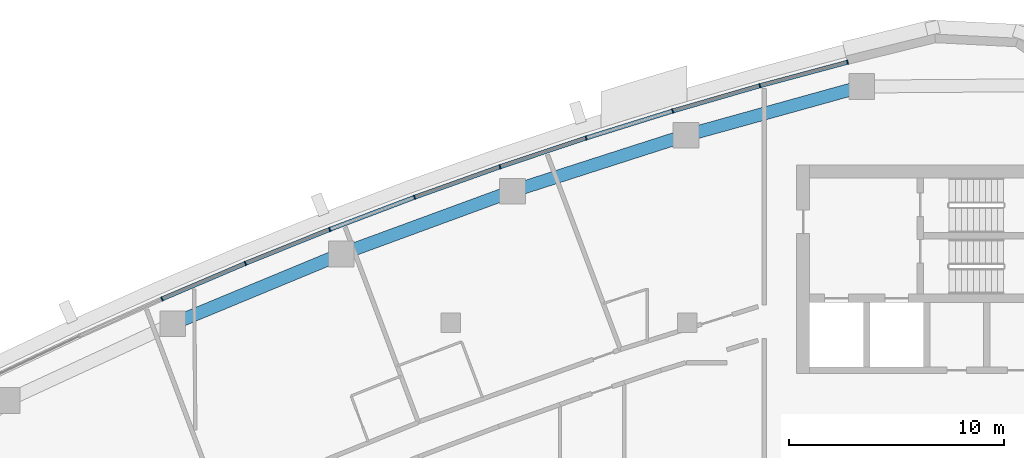
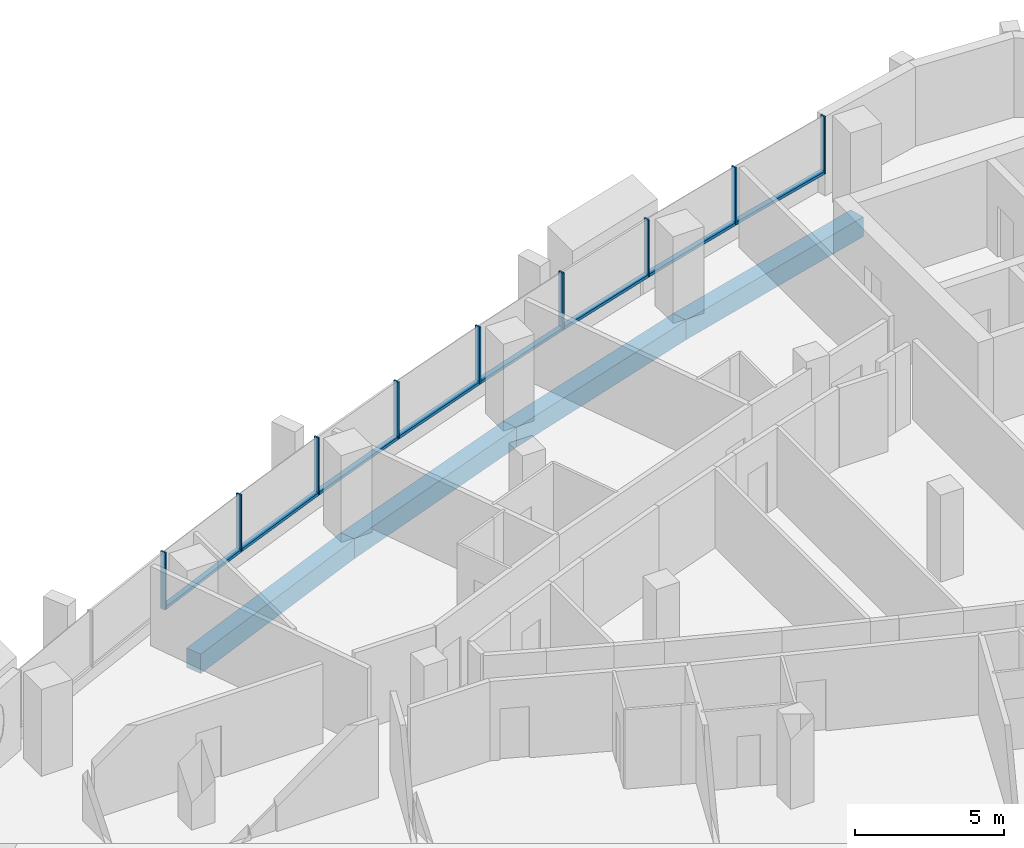
# One storey, part 6 of 15: 17 members, 4 beams, 4 elements without a shape of their own.
"""IFC4 building model written with IfcOpenShell, lengths in metres."""

from ifc_helpers import new_model, si_unit, direction, frame, origin, origin_2d, place, context, subcontext, project, spatial, rectangle, extrude, material, layer, layer_set, material_profile, profile_set, type_object, element, aggregate, save


model = new_model("IFC4")

# Units and contexts
model_context = context("Model", 3, precision=1e-05, world=origin(), true_north=direction((0.0, 1.0)))
body_context = subcontext(model_context, "Body", "Model", "MODEL_VIEW")
ifc_project = project(units=[si_unit("LENGTHUNIT", "METRE"), si_unit("AREAUNIT", "SQUARE_METRE"), si_unit("VOLUMEUNIT", "CUBIC_METRE"), si_unit("PLANEANGLEUNIT", "RADIAN"), si_unit("MASSUNIT", "GRAM", prefix="KILO")], contexts=[model_context])

# Site, building, storey
site_placement = place(None, origin())
site = spatial("IfcSite", under=ifc_project, at=site_placement, CompositionType="ELEMENT")
building_placement = place(site_placement, origin())
building = spatial("IfcBuilding", under=site, at=building_placement, Name="Ostrand Prow Hotel Tower", CompositionType="ELEMENT")
storey_placement = place(building_placement, frame((0.0, 0.0, 235.0)))
storey = spatial("IfcBuildingStorey", under=building, at=storey_placement, Name="L59", CompositionType="ELEMENT", Elevation=235.0)

# Beams
ifc_material_1 = material(Name="Concrete C50/60", Category="concrete")
ifc_material_profile_1 = material_profile(ifc_material_1, rectangle(XDim=0.60009765625, YDim=0.800048828125, at=origin_2d()), Name="RC 600x800")
ifc_profile_set_1 = profile_set([ifc_material_profile_1], Name="Concrete C50/60")
beam_type = type_object("IfcBeamType", Name="Edge beam 600x800 C50/60", PredefinedType="SPANDREL", material=ifc_profile_set_1)
for number, where, z_axis, x_axis, name in (
    (1, (53.12548828125, 19.99951171875, -0.699951171875), (-0.963625802813, -0.267255144297, 0.0), (0.267255144297, -0.963625802813, 0.0), "Edge beam N1-N2"),
    (2, (44.94677734375, 17.731201171875, -0.699951171875), (-0.95193933362, -0.306286638798, 0.0), (0.306286638798, -0.95193933362, 0.0), "Edge beam N2-N3"),
    (3, (36.8671875, 15.131591796875, -0.699951171875), (-0.938684959139, -0.344776083113, 0.0), (0.344776083113, -0.938684959139, 0.0), "Edge beam N3-N4"),
    (4, (28.900146484375, 12.205322265625, -0.699951171875), (-0.923890977326, -0.38265580097, 0.0), (0.38265580097, -0.923890977326, 0.0), "Edge beam N4-N5"),
):
    element("IfcBeam", number, at=place(storey_placement, frame(where, z_axis=z_axis, x_axis=x_axis)), inside=storey, type_object=beam_type, Name=name, PredefinedType="SPANDREL", context=body_context, shape_type="SweptSolid", body=[
        extrude(rectangle(XDim=0.60009765625, YDim=0.800048828125, at=origin_2d()), origin(), (0.0, 0.0, 1.0), 8.487548828125),
    ])

# Curtain wall, members
ifc_material_2 = material(Name="Insulated glass in bronze anodised frame", Category="glass")
ifc_layer = layer(ifc_material_2, 0.199951171875)
ifc_layer_set = layer_set([ifc_layer], Name="Insulated glass in bronze anodised frame")
curtain_wall_type = type_object("IfcCurtainWallType", Name="Strip curtain wall, fritted glass over bronze spandrel", PredefinedType="NOTDEFINED", material=ifc_layer_set)
curtain_wall_1_placement = place(storey_placement, origin())
curtain_wall_1 = element("IfcCurtainWall", 5, at=curtain_wall_1_placement, inside=storey, type_object=curtain_wall_type, Name="CW1 run CWN1", PredefinedType="NOTDEFINED")
ifc_material_3 = material(Name="Bronze anodised aluminium", Category="aluminium")
ifc_material_profile_2 = material_profile(ifc_material_3, rectangle(XDim=0.199951171875, YDim=0.06005859375, at=origin_2d()), Name="Mullion 60x200 bronze anodised aluminium")
ifc_profile_set_2 = profile_set([ifc_material_profile_2], Name="Bronze anodised aluminium")
member_type_1 = type_object("IfcMemberType", Name="Mullion 60x200 bronze anodised aluminium", PredefinedType="MULLION", material=ifc_profile_set_2)
member_1_placement = place(storey_placement, frame((52.465576171875, 21.1328125, 0.89990234375), z_axis=(0.0, 0.0, 1.0), x_axis=(0.258994370132, -0.965878831034, 0.0)))
member_1 = element("IfcMember", 6, at=member_1_placement, type_object=member_type_1, Name="CW1 mullion 1", PredefinedType="MULLION", context=body_context, shape_type="SweptSolid", body=[
    extrude(rectangle(XDim=0.199951171875, YDim=0.06005859375, at=origin_2d()), origin(), (0.0, 0.0, 1.0), 2.35009765625),
])
member_2_placement = place(storey_placement, frame((48.385986328125, 20.038818359375, 0.89990234375), z_axis=(0.0, 0.0, 1.0), x_axis=(0.27839270969, -0.960467333745, 0.0)))
member_2 = element("IfcMember", 7, at=member_2_placement, type_object=member_type_1, Name="CW1 mullion 2", PredefinedType="MULLION", context=body_context, shape_type="SweptSolid", body=[
    extrude(rectangle(XDim=0.199951171875, YDim=0.06005859375, at=origin_2d()), origin(), (0.0, 0.0, 1.0), 2.35009765625),
])
member_3_placement = place(storey_placement, frame((44.3291015625, 18.863037109375, 0.89990234375), z_axis=(0.0, 0.0, 1.0), x_axis=(0.27839270969, -0.960467333745, 0.0)))
member_3 = element("IfcMember", 8, at=member_3_placement, type_object=member_type_1, Name="CW1 mullion 3", PredefinedType="MULLION", context=body_context, shape_type="SweptSolid", body=[
    extrude(rectangle(XDim=0.199951171875, YDim=0.06005859375, at=origin_2d()), origin(), (0.0, 0.0, 1.0), 2.35009765625),
])

curtain_wall_2_placement = place(storey_placement, origin())
curtain_wall_2 = element("IfcCurtainWall", 9, at=curtain_wall_2_placement, inside=storey, type_object=curtain_wall_type, Name="CW1 run CWN2", PredefinedType="NOTDEFINED")
member_4_placement = place(storey_placement, frame((40.297119140625, 17.605712890625, 0.89990234375), z_axis=(0.0, 0.0, 1.0), x_axis=(0.31684118017, -0.948478606268, 0.0)))
member_4 = element("IfcMember", 10, at=member_4_placement, type_object=member_type_1, Name="CW1 mullion 2", PredefinedType="MULLION", context=body_context, shape_type="SweptSolid", body=[
    extrude(rectangle(XDim=0.199951171875, YDim=0.06005859375, at=origin_2d()), origin(), (0.0, 0.0, 1.0), 2.35009765625),
])
member_5_placement = place(storey_placement, frame((36.291015625, 16.267578125, 0.89990234375), z_axis=(0.0, 0.0, 1.0), x_axis=(0.31684118017, -0.948478606268, 0.0)))
member_5 = element("IfcMember", 11, at=member_5_placement, type_object=member_type_1, Name="CW1 mullion 3", PredefinedType="MULLION", context=body_context, shape_type="SweptSolid", body=[
    extrude(rectangle(XDim=0.199951171875, YDim=0.06005859375, at=origin_2d()), origin(), (0.0, 0.0, 1.0), 2.35009765625),
])

curtain_wall_3_placement = place(storey_placement, origin())
curtain_wall_3 = element("IfcCurtainWall", 12, at=curtain_wall_3_placement, inside=storey, type_object=curtain_wall_type, Name="CW1 run CWN3", PredefinedType="NOTDEFINED")
member_6_placement = place(storey_placement, frame((32.3125, 14.848876953125, 0.89990234375), z_axis=(0.0, 0.0, 1.0), x_axis=(0.354777361469, -0.934950813567, 0.0)))
member_6 = element("IfcMember", 13, at=member_6_placement, type_object=member_type_1, Name="CW1 mullion 2", PredefinedType="MULLION", context=body_context, shape_type="SweptSolid", body=[
    extrude(rectangle(XDim=0.199951171875, YDim=0.06005859375, at=origin_2d()), origin(), (0.0, 0.0, 1.0), 2.35009765625),
])
member_7_placement = place(storey_placement, frame((28.363525390625, 13.350341796875, 0.89990234375), z_axis=(0.0, 0.0, 1.0), x_axis=(0.354777361469, -0.934950813567, 0.0)))
member_7 = element("IfcMember", 14, at=member_7_placement, type_object=member_type_1, Name="CW1 mullion 3", PredefinedType="MULLION", context=body_context, shape_type="SweptSolid", body=[
    extrude(rectangle(XDim=0.199951171875, YDim=0.06005859375, at=origin_2d()), origin(), (0.0, 0.0, 1.0), 2.35009765625),
])

curtain_wall_4_placement = place(storey_placement, origin())
curtain_wall_4 = element("IfcCurtainWall", 15, at=curtain_wall_4_placement, inside=storey, type_object=curtain_wall_type, Name="CW1 run CWN4", PredefinedType="NOTDEFINED")
member_8_placement = place(storey_placement, frame((24.445556640625, 11.772705078125, 0.89990234375), z_axis=(0.0, 0.0, 1.0), x_axis=(0.392136433347, -0.919907070112, 0.0)))
member_8 = element("IfcMember", 16, at=member_8_placement, type_object=member_type_1, Name="CW1 mullion 2", PredefinedType="MULLION", context=body_context, shape_type="SweptSolid", body=[
    extrude(rectangle(XDim=0.199951171875, YDim=0.06005859375, at=origin_2d()), origin(), (0.0, 0.0, 1.0), 2.35009765625),
])
member_9_placement = place(storey_placement, frame((20.56005859375, 10.116455078125, 0.89990234375), z_axis=(0.0, 0.0, 1.0), x_axis=(0.392136433347, -0.919907070112, 0.0)))
member_9 = element("IfcMember", 17, at=member_9_placement, type_object=member_type_1, Name="CW1 mullion 3", PredefinedType="MULLION", context=body_context, shape_type="SweptSolid", body=[
    extrude(rectangle(XDim=0.199951171875, YDim=0.06005859375, at=origin_2d()), origin(), (0.0, 0.0, 1.0), 2.35009765625),
])

# Member
ifc_material_4 = material(Name="Bronze anodised aluminium", Category="aluminium")
ifc_material_profile_3 = material_profile(ifc_material_4, rectangle(XDim=0.199951171875, YDim=0.1201171875, at=origin_2d()), Name="Transom 120x200 bronze anodised aluminium")
ifc_profile_set_3 = profile_set([ifc_material_profile_3], Name="Bronze anodised aluminium")
member_type_2 = type_object("IfcMemberType", Name="Transom 120x200 bronze anodised aluminium", PredefinedType="USERDEFINED", material=ifc_profile_set_3)
member_10_placement = place(storey_placement, frame((52.4365234375, 21.125, 0.9599609375), z_axis=(-0.96587683346, -0.259001819657, 0.0), x_axis=(0.259001819657, -0.96587683346, 0.0)))
member_10 = element("IfcMember", 18, at=member_10_placement, type_object=member_type_2, Name="CW1 transom 1.1", ObjectType="TRANSOM", PredefinedType="USERDEFINED", context=body_context, shape_type="SweptSolid", body=[
    extrude(rectangle(XDim=0.199951171875, YDim=0.1201171875, at=origin_2d()), origin(), (0.0, 0.0, 1.0), 4.16357421875),
])

member_11_placement = place(storey_placement, frame((48.357177734375, 20.030517578125, 0.9599609375), z_axis=(-0.960468183791, -0.278389776976, 0.0), x_axis=(0.278389776976, -0.960468183791, 0.0)))
member_11 = element("IfcMember", 19, at=member_11_placement, type_object=member_type_2, Name="CW1 transom 2.1", ObjectType="TRANSOM", PredefinedType="USERDEFINED", context=body_context, shape_type="SweptSolid", body=[
    extrude(rectangle(XDim=0.199951171875, YDim=0.1201171875, at=origin_2d()), origin(), (0.0, 0.0, 1.0), 4.163818359375),
])

aggregate(curtain_wall_1, [member_1, member_2, member_3, member_10, member_11])

member_12_placement = place(storey_placement, frame((44.300537109375, 18.85400390625, 0.9599609375), z_axis=(-0.954676966691, -0.297643896746, 0.0), x_axis=(0.297643896746, -0.954676966691, 0.0)))
member_12 = element("IfcMember", 20, at=member_12_placement, type_object=member_type_2, Name="CW1 transom 1.1", ObjectType="TRANSOM", PredefinedType="USERDEFINED", context=body_context, shape_type="SweptSolid", body=[
    extrude(rectangle(XDim=0.199951171875, YDim=0.1201171875, at=origin_2d()), origin(), (0.0, 0.0, 1.0), 4.16357421875),
])

member_13_placement = place(storey_placement, frame((40.2685546875, 17.59619140625, 0.9599609375), z_axis=(-0.948489622939, -0.316808199353, 0.0), x_axis=(0.316808199353, -0.948489622939, 0.0)))
member_13 = element("IfcMember", 21, at=member_13_placement, type_object=member_type_2, Name="CW1 transom 2.1", ObjectType="TRANSOM", PredefinedType="USERDEFINED", context=body_context, shape_type="SweptSolid", body=[
    extrude(rectangle(XDim=0.199951171875, YDim=0.1201171875, at=origin_2d()), origin(), (0.0, 0.0, 1.0), 4.16357421875),
])

aggregate(curtain_wall_2, [member_4, member_5, member_12, member_13])

member_14_placement = place(storey_placement, frame((36.2626953125, 16.25732421875, 0.9599609375), z_axis=(-0.941911594104, -0.335860907061, 0.0), x_axis=(0.335860907061, -0.941911594104, 0.0)))
member_14 = element("IfcMember", 22, at=member_14_placement, type_object=member_type_2, Name="CW1 transom 1.1", ObjectType="TRANSOM", PredefinedType="USERDEFINED", context=body_context, shape_type="SweptSolid", body=[
    extrude(rectangle(XDim=0.199951171875, YDim=0.1201171875, at=origin_2d()), origin(), (0.0, 0.0, 1.0), 4.163818359375),
])

member_15_placement = place(storey_placement, frame((32.284423828125, 14.838134765625, 0.9599609375), z_axis=(-0.934960644813, -0.354751451936, 0.0), x_axis=(0.354751451936, -0.934960644813, 0.0)))
member_15 = element("IfcMember", 23, at=member_15_placement, type_object=member_type_2, Name="CW1 transom 2.1", ObjectType="TRANSOM", PredefinedType="USERDEFINED", context=body_context, shape_type="SweptSolid", body=[
    extrude(rectangle(XDim=0.199951171875, YDim=0.1201171875, at=origin_2d()), origin(), (0.0, 0.0, 1.0), 4.16357421875),
])

aggregate(curtain_wall_3, [member_6, member_7, member_14, member_15])

member_16_placement = place(storey_placement, frame((28.335693359375, 13.339111328125, 0.9599609375), z_axis=(-0.927625049372, -0.373512741119, 0.0), x_axis=(0.373512741119, -0.927625049372, 0.0)))
member_16 = element("IfcMember", 24, at=member_16_placement, type_object=member_type_2, Name="CW1 transom 1.1", ObjectType="TRANSOM", PredefinedType="USERDEFINED", context=body_context, shape_type="SweptSolid", body=[
    extrude(rectangle(XDim=0.199951171875, YDim=0.1201171875, at=origin_2d()), origin(), (0.0, 0.0, 1.0), 4.16357421875),
])

member_17_placement = place(storey_placement, frame((24.41796875, 11.760986328125, 0.9599609375), z_axis=(-0.919904541337, -0.392142365509, 0.0), x_axis=(0.392142365509, -0.919904541337, 0.0)))
member_17 = element("IfcMember", 25, at=member_17_placement, type_object=member_type_2, Name="CW1 transom 2.1", ObjectType="TRANSOM", PredefinedType="USERDEFINED", context=body_context, shape_type="SweptSolid", body=[
    extrude(rectangle(XDim=0.199951171875, YDim=0.1201171875, at=origin_2d()), origin(), (0.0, 0.0, 1.0), 4.163818359375),
])

aggregate(curtain_wall_4, [member_8, member_9, member_16, member_17])

save(model, "model.ifc")
